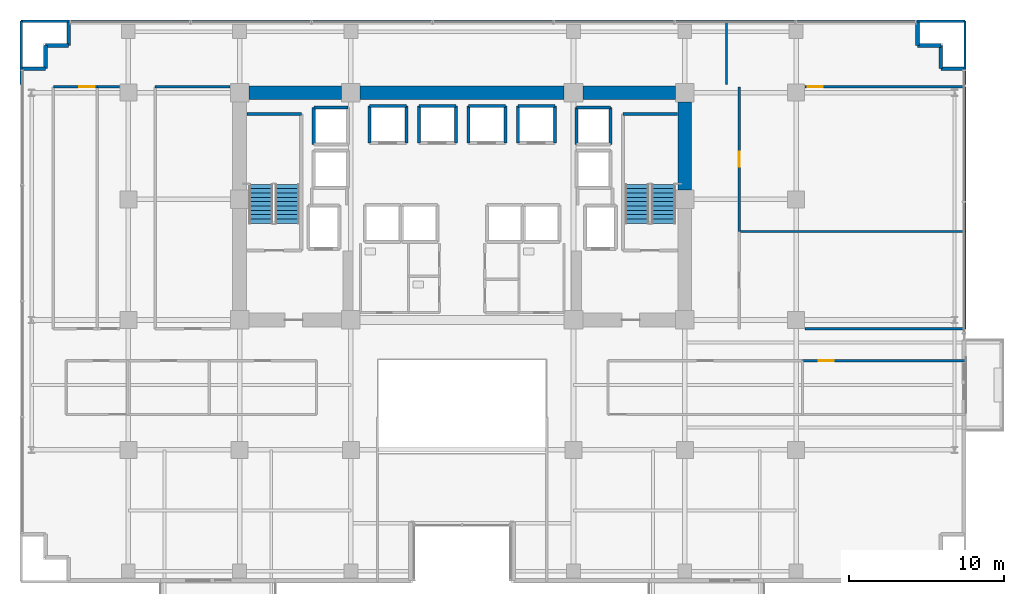
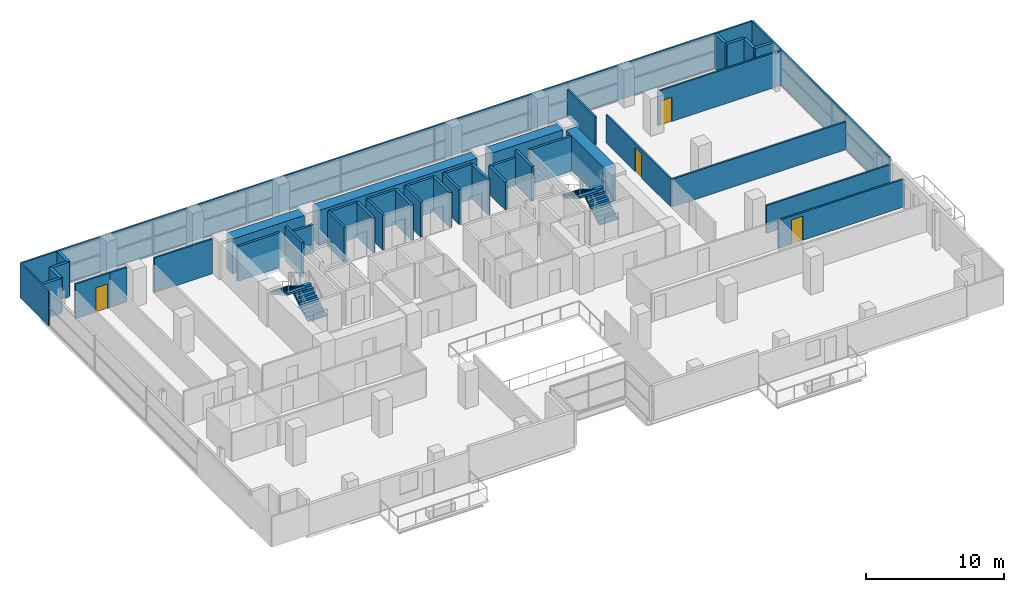
# One storey, part 22 of 26: 46 walls, 4 doors, 4 stair flights, 4 openings, 2 elements without a shape of their own.
"""IFC4 building model written with IfcOpenShell, lengths in metres."""

from ifc_helpers import new_model, si_unit, direction, frame, frame_2d, origin, place, context, subcontext, project, spatial, polyline, rectangle, outline, extrude, source, transform, mapped, material, layer, layer_set, type_object, element, fill, aggregate, save


model = new_model("IFC4")

# Units and contexts
model_context = context("Model", 3, precision=1e-05, world=origin(), true_north=direction((0.0, 1.0)))
body_context = subcontext(model_context, "Body", "Model", "MODEL_VIEW")
ifc_project = project(units=[si_unit("LENGTHUNIT", "METRE"), si_unit("AREAUNIT", "SQUARE_METRE"), si_unit("VOLUMEUNIT", "CUBIC_METRE"), si_unit("PLANEANGLEUNIT", "RADIAN"), si_unit("MASSUNIT", "GRAM", prefix="KILO")], contexts=[model_context])

# Site, building, storey
site_placement = place(None, origin())
site = spatial("IfcSite", under=ifc_project, at=site_placement, CompositionType="ELEMENT")
building_placement = place(site_placement, origin())
building = spatial("IfcBuilding", under=site, at=building_placement, Name="Zarnakvel Exchange Tower", CompositionType="ELEMENT")
storey_placement = place(building_placement, frame((0.0, 0.0, 63.699951171875)))
storey = spatial("IfcBuildingStorey", under=building, at=storey_placement, Name="L17", CompositionType="ELEMENT", Elevation=63.699951171875)

# Walls
ifc_material_1 = material(Name="Concrete C80/95", Category="concrete")
ifc_layer_1 = layer(ifc_material_1, 0.89990234375)
ifc_layer_set_1 = layer_set([ifc_layer_1], Name="Concrete C80/95")
wall_type_1 = type_object("IfcWallType", Name="CW-C1", PredefinedType="SHEAR", material=ifc_layer_set_1)
wall_1_placement = place(storey_placement, frame((-13.800048828125, 13.5, 0.0), z_axis=(0.0, 0.0, 1.0), x_axis=(1.0, 0.0, 0.0)))
element("IfcWall", 1, at=wall_1_placement, inside=storey, type_object=wall_type_1, Name="L17 Rear Core Shear Wall N1 (CW-C1)", PredefinedType="SHEAR", context=body_context, shape_type="SweptSolid", body=[
    extrude(rectangle(XDim=6.0, YDim=0.89990234375, at=frame_2d((3.0, 0.0))), origin(), (0.0, 0.0, 1.0), 3.074951171875),
])
wall_2_placement = place(storey_placement, frame((-6.60009765625, 13.5, 0.0), z_axis=(0.0, 0.0, 1.0), x_axis=(1.0, 0.0, 0.0)))
element("IfcWall", 2, at=wall_2_placement, inside=storey, type_object=wall_type_1, Name="L17 Rear Core Shear Wall N2 (CW-C1)", PredefinedType="SHEAR", context=body_context, shape_type="SweptSolid", body=[
    extrude(rectangle(XDim=13.2001953125, YDim=0.89990234375, at=frame_2d((6.60009765625, 0.0))), origin(), (0.0, 0.0, 1.0), 3.074951171875),
])
wall_3_placement = place(storey_placement, frame((7.800048828125, 13.5, 0.0), z_axis=(0.0, 0.0, 1.0), x_axis=(1.0, 0.0, 0.0)))
element("IfcWall", 3, at=wall_3_placement, inside=storey, type_object=wall_type_1, Name="L17 Rear Core Shear Wall N3 (CW-C1)", PredefinedType="SHEAR", context=body_context, shape_type="SweptSolid", body=[
    extrude(rectangle(XDim=6.0, YDim=0.89990234375, at=frame_2d((3.0, 0.0))), origin(), (0.0, 0.0, 1.0), 3.074951171875),
])
wall_4_placement = place(storey_placement, frame((14.39990234375, 7.199951171875, 0.0), z_axis=(0.0, 0.0, 1.0), x_axis=(0.0, 1.0, 0.0)))
element("IfcWall", 4, at=wall_4_placement, inside=storey, type_object=wall_type_1, Name="L17 Rear Core Shear Wall E2 (CW-C1)", PredefinedType="SHEAR", context=body_context, shape_type="SweptSolid", body=[
    extrude(rectangle(XDim=5.699951171875, YDim=0.89990234375, at=frame_2d((2.85009765625, 0.0))), origin(), (0.0, 0.0, 1.0), 3.074951171875),
])
ifc_material_2 = material(Name="Precast concrete C40/50", Category="concrete")
ifc_layer_2 = layer(ifc_material_2, 0.239990234375)
ifc_layer_set_2 = layer_set([ifc_layer_2], Name="Precast concrete C40/50")
wall_type_2 = type_object("IfcWallType", Name="EW-02", PredefinedType="SOLIDWALL", material=ifc_layer_set_2)
for number, where, z_axis, x_axis, name in (
    (5, (-26.9599609375, 15.06005859375, 0.0), (0.0, 0.0, 1.0), (-1.0, 0.0, 0.0), "L17 Exterior Precast Spandrel Wall EWC-L17-01 (EW-02)"),
    (6, (-26.9599609375, 16.56005859375, 0.0), (0.0, 0.0, 1.0), (0.0, -1.0, 0.0), "L17 Exterior Precast Spandrel Wall EWC-L17-02 (EW-02)"),
    (7, (-25.4599609375, 16.56005859375, 0.0), (0.0, 0.0, 1.0), (-1.0, 0.0, 0.0), "L17 Exterior Precast Spandrel Wall EWC-L17-03 (EW-02)"),
    (8, (-25.4599609375, 18.06005859375, 0.0), (0.0, 0.0, 1.0), (0.0, -1.0, 0.0), "L17 Exterior Precast Spandrel Wall EWC-L17-04 (EW-02)"),
    (9, (29.4599609375, 16.56005859375, 0.0), (0.0, 0.0, 1.0), (0.0, 1.0, 0.0), "L17 Exterior Precast Spandrel Wall EWC-L17-05 (EW-02)"),
    (10, (30.9599609375, 16.56005859375, 0.0), (0.0, 0.0, 1.0), (-1.0, 0.0, 0.0), "L17 Exterior Precast Spandrel Wall EWC-L17-06 (EW-02)"),
    (11, (30.9599609375, 15.06005859375, 0.0), (0.0, 0.0, 1.0), (0.0, 1.0, 0.0), "L17 Exterior Precast Spandrel Wall EWC-L17-07 (EW-02)"),
    (12, (32.4599609375, 15.06005859375, 0.0), (0.0, 0.0, 1.0), (-1.0, 0.0, 0.0), "L17 Exterior Precast Spandrel Wall EWC-L17-08 (EW-02)"),
):
    element("IfcWall", number, at=place(storey_placement, frame(where, z_axis=z_axis, x_axis=x_axis)), inside=storey, type_object=wall_type_2, Name=name, PredefinedType="SOLIDWALL", context=body_context, shape_type="SweptSolid", body=[
        extrude(rectangle(XDim=1.5, YDim=0.239990234375, at=frame_2d((0.75, 0.0))), origin(), (0.0, 0.0, 1.0), 3.074951171875),
    ])

# Wall, opening, door
ifc_material_3 = material(Name="Fire-Rated Gypsum Stud Partition", Category="gypsum")
ifc_layer_3 = layer(ifc_material_3, 0.14990234375)
ifc_layer_set_3 = layer_set([ifc_layer_3], Name="Fire-Rated Gypsum Stud Partition")
wall_type_3 = type_object("IfcWallType", Name="PT-01", PredefinedType="PARTITIONING", material=ifc_layer_set_3)
wall_5_placement = place(storey_placement, frame((22.015380859375, -3.830078125, 0.0), z_axis=(0.0, 0.0, 1.0), x_axis=(1.0, 0.0, 0.0)))
wall_5 = element("IfcWall", 13, at=wall_5_placement, inside=storey, type_object=wall_type_3, Name="L17 Partition Wall PWALL-L17-044 (PT-01)", PredefinedType="PARTITIONING", context=body_context, shape_type="SweptSolid", body=[
    extrude(rectangle(XDim=10.5146484375, YDim=0.14990234375, at=frame_2d((5.25732421875, 0.0))), origin(), (0.0, 0.0, 1.0), 2.465087890625),
])
opening_1_placement = place(wall_5_placement, frame((1.04248046875, 0.0, 0.0)))
opening_1 = element("IfcOpeningElement", 14, at=opening_1_placement, cuts=wall_5, Name="Opening D-L17-16", PredefinedType="OPENING", context=body_context, shape_type="SweptSolid", body=[
    extrude(rectangle(XDim=0.97998046875, YDim=2.14990234375, at=frame_2d((0.489990234375, 1.074951171875))), frame((0.0, 0.0849609375, 0.0), z_axis=(0.0, -1.0, 0.0), x_axis=(1.0, 0.0, 0.0)), (0.0, 0.0, 1.0), 0.169921875),
])
ifc_material_4 = material(Name="Timber Acoustic Veneer", Category="wood")
door_type = type_object("IfcDoorType", Name="DT-05", OperationType="NOTDEFINED", PredefinedType="DOOR", material=ifc_material_4)
shared_shape = source(origin(), body_context, "Body", "SweptSolid", [
    extrude(rectangle(XDim=0.97998046875, YDim=2.14990234375, at=frame_2d((0.489990234375, 1.074951171875))), frame((0.0, 0.02490234375, 0.0), z_axis=(0.0, -1.0, 0.0), x_axis=(1.0, 0.0, 0.0)), (0.0, 0.0, 1.0), 0.050048828125),
])
door_1_placement = place(opening_1_placement, origin())
door_1 = element("IfcDoor", 15, at=door_1_placement, inside=storey, type_object=door_type, Name="L17 Executive Office Door D-L17-16", OperationType="SINGLE_SWING_RIGHT", OverallHeight=2.14990234375, OverallWidth=0.97998046875, PredefinedType="DOOR", context=body_context, shape_type="MappedRepresentation", body=[
    mapped(shared_shape, transform((0.0, 0.0, 0.0), x_axis=(1.0, 0.0, 0.0), y_axis=(0.0, 1.0, 0.0), z_axis=(0.0, 0.0, 1.0), scale=1.0)),
])
fill(opening_1, door_1)

wall_6_placement = place(storey_placement, frame((-26.451171875, 13.8798828125, 0.0), z_axis=(0.0, 0.0, 1.0), x_axis=(1.0, 0.0, 0.0)))
wall_6 = element("IfcWall", 16, at=wall_6_placement, inside=storey, type_object=wall_type_3, Name="L17 Partition Wall PWALL-L17-050 (PT-01)", PredefinedType="PARTITIONING", context=body_context, shape_type="SweptSolid", body=[
    extrude(rectangle(XDim=2.84619140625, YDim=0.14990234375, at=frame_2d((1.423095703125, 0.0))), origin(), (0.0, 0.0, 1.0), 3.074951171875),
])
opening_2_placement = place(wall_6_placement, frame((1.686279296875, 0.0, 0.0)))
opening_2 = element("IfcOpeningElement", 17, at=opening_2_placement, cuts=wall_6, Name="Opening D-L17-23", PredefinedType="OPENING", context=body_context, shape_type="SweptSolid", body=[
    extrude(rectangle(XDim=0.97998046875, YDim=2.14990234375, at=frame_2d((0.489990234375, 1.074951171875))), frame((0.0, 0.0849609375, 0.0), z_axis=(0.0, -1.0, 0.0), x_axis=(1.0, 0.0, 0.0)), (0.0, 0.0, 1.0), 0.169921875),
])
door_2_placement = place(opening_2_placement, origin())
door_2 = element("IfcDoor", 18, at=door_2_placement, inside=storey, type_object=door_type, Name="L17 Risk Analytics Suite Door D-L17-23", OperationType="SINGLE_SWING_LEFT", OverallHeight=2.14990234375, OverallWidth=0.97998046875, PredefinedType="DOOR", context=body_context, shape_type="MappedRepresentation", body=[
    mapped(shared_shape, transform((0.0, 0.0, 0.0), x_axis=(1.0, 0.0, 0.0), y_axis=(0.0, 1.0, 0.0), z_axis=(0.0, 0.0, 1.0), scale=1.0)),
])
fill(opening_2, door_2)

# Walls
wall_7_placement = place(storey_placement, frame((-23.60498046875, 13.8798828125, 0.0), z_axis=(0.0, 0.0, 1.0), x_axis=(1.0, 0.0, 0.0)))
element("IfcWall", 19, at=wall_7_placement, inside=storey, type_object=wall_type_3, Name="L17 Partition Wall PWALL-L17-054 (PT-01)", PredefinedType="PARTITIONING", context=body_context, shape_type="SweptSolid", body=[
    extrude(rectangle(XDim=1.43505859375, YDim=0.14990234375, at=frame_2d((0.717529296875, 0.0))), origin(), (0.0, 0.0, 1.0), 3.074951171875),
])
wall_8_placement = place(storey_placement, frame((-19.863037109375, 13.8798828125, 0.0), z_axis=(0.0, 0.0, 1.0), x_axis=(1.0, 0.0, 0.0)))
element("IfcWall", 20, at=wall_8_placement, inside=storey, type_object=wall_type_3, Name="L17 Partition Wall PWALL-L17-057 (PT-01)", PredefinedType="PARTITIONING", context=body_context, shape_type="SweptSolid", body=[
    extrude(rectangle(XDim=4.843017578125, YDim=0.14990234375, at=frame_2d((2.42138671875, 0.0))), origin(), (0.0, 0.0, 1.0), 3.074951171875),
])
wall_9_placement = place(storey_placement, frame((32.530029296875, -1.77001953125, 0.0), z_axis=(0.0, 0.0, 1.0), x_axis=(-1.0, 0.0, 0.0)))
element("IfcWall", 21, at=wall_9_placement, inside=storey, type_object=wall_type_3, Name="L17 Partition Wall PWALL-L17-058 (PT-01)", PredefinedType="PARTITIONING", context=body_context, shape_type="SweptSolid", body=[
    extrude(rectangle(XDim=10.360107421875, YDim=0.14990234375, at=frame_2d((5.18017578125, 0.0))), origin(), (0.0, 0.0, 1.0), 2.465087890625),
])
wall_10_placement = place(storey_placement, frame((17.929931640625, 4.52197265625, 0.0), z_axis=(0.0, 0.0, 1.0), x_axis=(1.0, 0.0, 0.0)))
element("IfcWall", 22, at=wall_10_placement, inside=storey, type_object=wall_type_3, Name="L17 Partition Wall PWALL-L17-059 (PT-01)", PredefinedType="PARTITIONING", context=body_context, shape_type="SweptSolid", body=[
    extrude(rectangle(XDim=14.60009765625, YDim=0.14990234375, at=frame_2d((7.300048828125, 0.0))), origin(), (0.0, 0.0, 1.0), 2.465087890625),
])
wall_11_placement = place(storey_placement, frame((32.530029296875, 4.52197265625, 0.0), z_axis=(0.0, 0.0, 1.0), x_axis=(0.0, -1.0, 0.0)))
element("IfcWall", 23, at=wall_11_placement, inside=storey, type_object=wall_type_3, Name="L17 Partition Wall PWALL-L17-061 (PT-01)", PredefinedType="PARTITIONING", context=body_context, shape_type="SweptSolid", body=[
    extrude(rectangle(XDim=6.2919921875, YDim=0.14990234375, at=frame_2d((3.14599609375, 0.0))), origin(), (0.0, 0.0, 1.0), 3.074951171875),
])

# Wall, opening, door
wall_12_placement = place(storey_placement, frame((22.169921875, 13.8798828125, 0.0), z_axis=(0.0, 0.0, 1.0), x_axis=(1.0, 0.0, 0.0)))
wall_12 = element("IfcWall", 24, at=wall_12_placement, inside=storey, type_object=wall_type_3, Name="L17 Partition Wall PWALL-L17-062 (PT-01)", PredefinedType="PARTITIONING", context=body_context, shape_type="SweptSolid", body=[
    extrude(rectangle(XDim=10.360107421875, YDim=0.14990234375, at=frame_2d((5.18017578125, 0.0))), origin(), (0.0, 0.0, 1.0), 3.074951171875),
])
opening_3_placement = place(wall_12_placement, frame((0.179931640625, 0.0, 0.0)))
opening_3 = element("IfcOpeningElement", 25, at=opening_3_placement, cuts=wall_12, Name="Opening D-L17-24", PredefinedType="OPENING", context=body_context, shape_type="SweptSolid", body=[
    extrude(rectangle(XDim=0.97998046875, YDim=2.14990234375, at=frame_2d((0.489990234375, 1.074951171875))), frame((0.0, 0.0849609375, 0.0), z_axis=(0.0, -1.0, 0.0), x_axis=(1.0, 0.0, 0.0)), (0.0, 0.0, 1.0), 0.169921875),
])
door_3_placement = place(opening_3_placement, origin())
door_3 = element("IfcDoor", 26, at=door_3_placement, inside=storey, type_object=door_type, Name="L17 Members Lounge Door D-L17-24", OperationType="SINGLE_SWING_RIGHT", OverallHeight=2.14990234375, OverallWidth=0.97998046875, PredefinedType="DOOR", context=body_context, shape_type="MappedRepresentation", body=[
    mapped(shared_shape, transform((0.0, 0.0, 0.0), x_axis=(1.0, 0.0, 0.0), y_axis=(0.0, 1.0, 0.0), z_axis=(0.0, 0.0, 1.0), scale=1.0)),
])
fill(opening_3, door_3)

wall_13_placement = place(storey_placement, frame((17.929931640625, 4.52197265625, 0.0), z_axis=(0.0, 0.0, 1.0), x_axis=(0.0, 1.0, 0.0)))
wall_13 = element("IfcWall", 27, at=wall_13_placement, inside=storey, type_object=wall_type_3, Name="L17 Partition Wall PWALL-L17-063 (PT-01)", PredefinedType="PARTITIONING", context=body_context, shape_type="SweptSolid", body=[
    extrude(rectangle(XDim=9.35791015625, YDim=0.14990234375, at=frame_2d((4.678955078125, 0.0))), origin(), (0.0, 0.0, 1.0), 2.465087890625),
])
opening_4_placement = place(wall_13_placement, frame((4.18896484375, 0.0, 0.0)))
opening_4 = element("IfcOpeningElement", 28, at=opening_4_placement, cuts=wall_13, Name="Opening D-L17-22", PredefinedType="OPENING", context=body_context, shape_type="SweptSolid", body=[
    extrude(rectangle(XDim=0.97998046875, YDim=2.14990234375, at=frame_2d((0.489990234375, 1.074951171875))), frame((0.0, 0.0849609375, 0.0), z_axis=(0.0, -1.0, 0.0), x_axis=(1.0, 0.0, 0.0)), (0.0, 0.0, 1.0), 0.169921875),
])
door_4_placement = place(opening_4_placement, origin())
door_4 = element("IfcDoor", 29, at=door_4_placement, inside=storey, type_object=door_type, Name="L17 Risk Analytics Suite Door D-L17-22", OperationType="SINGLE_SWING_RIGHT", OverallHeight=2.14990234375, OverallWidth=0.97998046875, PredefinedType="DOOR", context=body_context, shape_type="MappedRepresentation", body=[
    mapped(shared_shape, transform((0.0, 0.0, 0.0), x_axis=(1.0, 0.0, 0.0), y_axis=(0.0, 1.0, 0.0), z_axis=(0.0, 0.0, 1.0), scale=1.0)),
])
fill(opening_4, door_4)

# Walls
wall_14_placement = place(storey_placement, frame((32.530029296875, 13.8798828125, 0.0), z_axis=(0.0, 0.0, 1.0), x_axis=(0.0, -1.0, 0.0)))
element("IfcWall", 30, at=wall_14_placement, inside=storey, type_object=wall_type_3, Name="L17 Partition Wall PWALL-L17-064 (PT-01)", PredefinedType="PARTITIONING", context=body_context, shape_type="SweptSolid", body=[
    extrude(rectangle(XDim=9.35791015625, YDim=0.14990234375, at=frame_2d((4.678955078125, 0.0))), origin(), (0.0, 0.0, 1.0), 3.074951171875),
])
wall_15_placement = place(storey_placement, frame((-28.530029296875, 18.1298828125, 0.0), z_axis=(0.0, 0.0, 1.0), x_axis=(1.0, 0.0, 0.0)))
element("IfcWall", 31, at=wall_15_placement, inside=storey, type_object=wall_type_3, Name="L17 Partition Wall PWALL-L17-065 (PT-01)", PredefinedType="PARTITIONING", context=body_context, shape_type="SweptSolid", body=[
    extrude(rectangle(XDim=45.630126953125, YDim=0.14990234375, at=frame_2d((22.81494140625, 0.0))), origin(), (0.0, 0.0, 1.0), 3.074951171875),
])
wall_16_placement = place(storey_placement, frame((-28.530029296875, 14.030029296875, 0.0), z_axis=(0.0, 0.0, 1.0), x_axis=(0.0, 1.0, 0.0)))
element("IfcWall", 32, at=wall_16_placement, inside=storey, type_object=wall_type_3, Name="L17 Partition Wall PWALL-L17-066 (PT-01)", PredefinedType="PARTITIONING", context=body_context, shape_type="SweptSolid", body=[
    extrude(rectangle(XDim=4.099853515625, YDim=0.14990234375, at=frame_2d((2.0498046875, 0.0))), origin(), (0.0, 0.0, 1.0), 3.074951171875),
])
wall_17_placement = place(storey_placement, frame((17.10009765625, 18.1298828125, 0.0), z_axis=(0.0, 0.0, 1.0), x_axis=(0.0, -1.0, 0.0)))
element("IfcWall", 33, at=wall_17_placement, inside=storey, type_object=wall_type_3, Name="L17 Partition Wall PWALL-L17-067 (PT-01)", PredefinedType="PARTITIONING", context=body_context, shape_type="SweptSolid", body=[
    extrude(rectangle(XDim=4.099853515625, YDim=0.14990234375, at=frame_2d((2.0498046875, 0.0))), origin(), (0.0, 0.0, 1.0), 2.465087890625),
])
wall_18_placement = place(storey_placement, frame((17.10009765625, 18.1298828125, 0.0), z_axis=(0.0, 0.0, 1.0), x_axis=(1.0, 0.0, 0.0)))
element("IfcWall", 34, at=wall_18_placement, inside=storey, type_object=wall_type_3, Name="L17 Partition Wall PWALL-L17-068 (PT-01)", PredefinedType="PARTITIONING", context=body_context, shape_type="SweptSolid", body=[
    extrude(rectangle(XDim=15.429931640625, YDim=0.14990234375, at=frame_2d((7.71484375, 0.0))), origin(), (0.0, 0.0, 1.0), 3.074951171875),
])
wall_19_placement = place(storey_placement, frame((32.530029296875, 18.1298828125, 0.0), z_axis=(0.0, 0.0, 1.0), x_axis=(0.0, -1.0, 0.0)))
element("IfcWall", 35, at=wall_19_placement, inside=storey, type_object=wall_type_3, Name="L17 Partition Wall PWALL-L17-069 (PT-01)", PredefinedType="PARTITIONING", context=body_context, shape_type="SweptSolid", body=[
    extrude(rectangle(XDim=4.099853515625, YDim=0.14990234375, at=frame_2d((2.0498046875, 0.0))), origin(), (0.0, 0.0, 1.0), 3.074951171875),
])
ifc_material_5 = material(Name="Concrete C40/50", Category="concrete")
ifc_layer_4 = layer(ifc_material_5, 0.199951171875)
ifc_layer_set_4 = layer_set([ifc_layer_4], Name="Concrete C40/50")
wall_type_4 = type_object("IfcWallType", Name="SW-01", PredefinedType="SOLIDWALL", material=ifc_layer_set_4)
for number, where, z_axis, x_axis, name in (
    (36, (-6.0, 12.64990234375, 0.0), (0.0, 0.0, 1.0), (1.0, 0.0, 0.0), "L17 PL-01 Hoistway Wall North"),
    (37, (-6.0, 10.25, 0.0), (0.0, 0.0, 1.0), (0.0, 1.0, 0.0), "L17 PL-01 Hoistway Wall West"),
    (38, (-3.60009765625, 12.64990234375, 0.0), (0.0, 0.0, 1.0), (0.0, -1.0, 0.0), "L17 PL-01 Hoistway Wall East"),
):
    element("IfcWall", number, at=place(storey_placement, frame(where, z_axis=z_axis, x_axis=x_axis)), inside=storey, type_object=wall_type_4, Name=name, PredefinedType="SOLIDWALL", context=body_context, shape_type="SweptSolid", body=[
        extrude(rectangle(XDim=2.39990234375, YDim=0.199951171875, at=frame_2d((1.199951171875, 0.0))), origin(), (0.0, 0.0, 1.0), 3.074951171875),
    ])
wall_20_placement = place(storey_placement, frame((-2.800048828125, 12.64990234375, 0.0), z_axis=(0.0, 0.0, 1.0), x_axis=(1.0, 0.0, 0.0)))
element("IfcWall", 39, at=wall_20_placement, inside=storey, type_object=wall_type_4, Name="L17 PL-02 Hoistway Wall North", PredefinedType="SOLIDWALL", context=body_context, shape_type="SweptSolid", body=[
    extrude(rectangle(XDim=2.400146484375, YDim=0.199951171875, at=frame_2d((1.2001953125, 0.0))), origin(), (0.0, 0.0, 1.0), 3.074951171875),
])
for number, where, z_axis, x_axis, name in (
    (40, (-2.800048828125, 10.25, 0.0), (0.0, 0.0, 1.0), (0.0, 1.0, 0.0), "L17 PL-02 Hoistway Wall West"),
    (41, (-0.39990234375, 12.64990234375, 0.0), (0.0, 0.0, 1.0), (0.0, -1.0, 0.0), "L17 PL-02 Hoistway Wall East"),
):
    element("IfcWall", number, at=place(storey_placement, frame(where, z_axis=z_axis, x_axis=x_axis)), inside=storey, type_object=wall_type_4, Name=name, PredefinedType="SOLIDWALL", context=body_context, shape_type="SweptSolid", body=[
        extrude(rectangle(XDim=2.39990234375, YDim=0.199951171875, at=frame_2d((1.199951171875, 0.0))), origin(), (0.0, 0.0, 1.0), 3.074951171875),
    ])
wall_21_placement = place(storey_placement, frame((0.39990234375, 12.64990234375, 0.0), z_axis=(0.0, 0.0, 1.0), x_axis=(1.0, 0.0, 0.0)))
element("IfcWall", 42, at=wall_21_placement, inside=storey, type_object=wall_type_4, Name="L17 PL-03 Hoistway Wall North", PredefinedType="SOLIDWALL", context=body_context, shape_type="SweptSolid", body=[
    extrude(rectangle(XDim=2.400146484375, YDim=0.199951171875, at=frame_2d((1.2001953125, 0.0))), origin(), (0.0, 0.0, 1.0), 3.074951171875),
])
for number, where, z_axis, x_axis, name in (
    (43, (0.39990234375, 10.25, 0.0), (0.0, 0.0, 1.0), (0.0, 1.0, 0.0), "L17 PL-03 Hoistway Wall West"),
    (44, (2.800048828125, 12.64990234375, 0.0), (0.0, 0.0, 1.0), (0.0, -1.0, 0.0), "L17 PL-03 Hoistway Wall East"),
    (45, (3.60009765625, 12.64990234375, 0.0), (0.0, 0.0, 1.0), (1.0, 0.0, 0.0), "L17 PL-04 Hoistway Wall North"),
    (46, (3.60009765625, 10.25, 0.0), (0.0, 0.0, 1.0), (0.0, 1.0, 0.0), "L17 PL-04 Hoistway Wall West"),
    (47, (6.0, 12.64990234375, 0.0), (0.0, 0.0, 1.0), (0.0, -1.0, 0.0), "L17 PL-04 Hoistway Wall East"),
):
    element("IfcWall", number, at=place(storey_placement, frame(where, z_axis=z_axis, x_axis=x_axis)), inside=storey, type_object=wall_type_4, Name=name, PredefinedType="SOLIDWALL", context=body_context, shape_type="SweptSolid", body=[
        extrude(rectangle(XDim=2.39990234375, YDim=0.199951171875, at=frame_2d((1.199951171875, 0.0))), origin(), (0.0, 0.0, 1.0), 3.074951171875),
    ])
wall_22_placement = place(storey_placement, frame((-9.60009765625, 12.550048828125, 0.0), z_axis=(0.0, 0.0, 1.0), x_axis=(1.0, 0.0, 0.0)))
element("IfcWall", 48, at=wall_22_placement, inside=storey, type_object=wall_type_4, Name="L17 PL-10 Hoistway Wall North", PredefinedType="SOLIDWALL", context=body_context, shape_type="SweptSolid", body=[
    extrude(rectangle(XDim=2.2001953125, YDim=0.199951171875, at=frame_2d((1.10009765625, 0.0))), origin(), (0.0, 0.0, 1.0), 2.465087890625),
])
wall_23_placement = place(storey_placement, frame((-9.60009765625, 10.14990234375, 0.0), z_axis=(0.0, 0.0, 1.0), x_axis=(0.0, 1.0, 0.0)))
element("IfcWall", 49, at=wall_23_placement, inside=storey, type_object=wall_type_4, Name="L17 PL-10 Hoistway Wall West", PredefinedType="SOLIDWALL", context=body_context, shape_type="SweptSolid", body=[
    extrude(rectangle(XDim=2.400146484375, YDim=0.199951171875, at=frame_2d((1.2001953125, 0.0))), origin(), (0.0, 0.0, 1.0), 3.074951171875),
])
wall_24_placement = place(storey_placement, frame((7.39990234375, 12.550048828125, 0.0), z_axis=(0.0, 0.0, 1.0), x_axis=(1.0, 0.0, 0.0)))
element("IfcWall", 50, at=wall_24_placement, inside=storey, type_object=wall_type_4, Name="L17 PL-12 Hoistway Wall North", PredefinedType="SOLIDWALL", context=body_context, shape_type="SweptSolid", body=[
    extrude(rectangle(XDim=2.2001953125, YDim=0.199951171875, at=frame_2d((1.10009765625, 0.0))), origin(), (0.0, 0.0, 1.0), 2.465087890625),
])
wall_25_placement = place(storey_placement, frame((7.39990234375, 10.14990234375, 0.0), z_axis=(0.0, 0.0, 1.0), x_axis=(0.0, 1.0, 0.0)))
element("IfcWall", 51, at=wall_25_placement, inside=storey, type_object=wall_type_4, Name="L17 PL-12 Hoistway Wall West", PredefinedType="SOLIDWALL", context=body_context, shape_type="SweptSolid", body=[
    extrude(rectangle(XDim=2.400146484375, YDim=0.199951171875, at=frame_2d((1.2001953125, 0.0))), origin(), (0.0, 0.0, 1.0), 2.465087890625),
])
wall_26_placement = place(storey_placement, frame((9.60009765625, 12.550048828125, 0.0), z_axis=(0.0, 0.0, 1.0), x_axis=(0.0, -1.0, 0.0)))
element("IfcWall", 52, at=wall_26_placement, inside=storey, type_object=wall_type_4, Name="L17 PL-12 Hoistway Wall East", PredefinedType="SOLIDWALL", context=body_context, shape_type="SweptSolid", body=[
    extrude(rectangle(XDim=2.400146484375, YDim=0.199951171875, at=frame_2d((1.2001953125, 0.0))), origin(), (0.0, 0.0, 1.0), 3.074951171875),
])
ifc_layer_5 = layer(ifc_material_5, 0.199951171875)
ifc_layer_set_5 = layer_set([ifc_layer_5], Name="Concrete C40/50")
wall_type_5 = type_object("IfcWallType", Name="SW-02", PredefinedType="SOLIDWALL", material=ifc_layer_set_5)
for number, where, z_axis, x_axis, name in (
    (53, (-13.929931640625, 12.1298828125, 0.0), (0.0, 0.0, 1.0), (1.0, 0.0, 0.0), "L17 Stairwell Core Wall PWALL-L17-002 (SW-02)"),
    (54, (10.409912109375, 12.1298828125, 0.0), (0.0, 0.0, 1.0), (1.0, 0.0, 0.0), "L17 Stairwell Core Wall PWALL-L17-005 (SW-02)"),
):
    element("IfcWall", number, at=place(storey_placement, frame(where, z_axis=z_axis, x_axis=x_axis)), inside=storey, type_object=wall_type_5, Name=name, PredefinedType="SOLIDWALL", context=body_context, shape_type="SweptSolid", body=[
        extrude(rectangle(XDim=3.52001953125, YDim=0.199951171875, at=frame_2d((1.760009765625, 0.0))), origin(), (0.0, 0.0, 1.0), 3.074951171875),
    ])

# Stair, stair flights
stair_type = type_object("IfcStairType", Name="STR-01", PredefinedType="HALF_TURN_STAIR", material=ifc_material_5)
stair_1_placement = place(storey_placement, origin())
stair_1 = element("IfcStair", 55, at=stair_1_placement, inside=storey, type_object=stair_type, Name="L17 Protected Core Exit Stair ST-01", PredefinedType="HALF_TURN_STAIR")
stair_flight_type = type_object("IfcStairFlightType", Name="FLT-01", PredefinedType="STRAIGHT", material=ifc_material_5)
stair_flight_1_placement = place(storey_placement, frame((-11.31494140625, 5.050048828125, 0.0), z_axis=(0.0, 0.0, 1.0), x_axis=(0.0, 1.0, 0.0)))
stair_flight_1 = element("IfcStairFlight", 56, at=stair_flight_1_placement, type_object=stair_flight_type, Name="ST-01 flight 1", NumberOfRisers=10, NumberOfTreads=9, PredefinedType="STRAIGHT", RiserHeight=0.165, TreadLength=0.28, context=body_context, shape_type="SweptSolid", body=[
    extrude(outline(polyline([(0.0, 0.0), (0.0, 0.1650390625), (0.280029296875, 0.1650390625), (0.280029296875, 0.330078125), (0.56005859375, 0.330078125), (0.56005859375, 0.4951171875), (0.840087890625, 0.4951171875), (0.840087890625, 0.659912109375), (1.1201171875, 0.659912109375), (1.1201171875, 0.824951171875), (1.39990234375, 0.824951171875), (1.39990234375, 0.989990234375), (1.679931640625, 0.989990234375), (1.679931640625, 1.155029296875), (1.9599609375, 1.155029296875), (1.9599609375, 1.320068359375), (2.239990234375, 1.320068359375), (2.239990234375, 1.485107421875), (2.52001953125, 1.485107421875), (2.52001953125, 1.64990234375), (2.52001953125, 1.31103515625), (0.295166015625, 0.0), (0.0, 0.0)])), frame((0.0, 0.77490234375, 0.0), z_axis=(0.0, -1.0, 0.0), x_axis=(1.0, 0.0, 0.0)), (0.0, 0.0, 1.0), 1.550048828125),
])
stair_flight_2_placement = place(storey_placement, frame((-13.02490234375, 7.570068359375, 1.650146484375), z_axis=(0.0, 0.0, 1.0), x_axis=(0.0, -1.0, 0.0)))
stair_flight_2 = element("IfcStairFlight", 57, at=stair_flight_2_placement, type_object=stair_flight_type, Name="ST-01 flight 2", NumberOfRisers=10, NumberOfTreads=9, PredefinedType="STRAIGHT", RiserHeight=0.165, TreadLength=0.28, context=body_context, shape_type="SweptSolid", body=[
    extrude(outline(polyline([(0.0, 0.0), (0.0, 0.1650390625), (0.280029296875, 0.1650390625), (0.280029296875, 0.330078125), (0.56005859375, 0.330078125), (0.56005859375, 0.4951171875), (0.840087890625, 0.4951171875), (0.840087890625, 0.659912109375), (1.1201171875, 0.659912109375), (1.1201171875, 0.824951171875), (1.39990234375, 0.824951171875), (1.39990234375, 0.989990234375), (1.679931640625, 0.989990234375), (1.679931640625, 1.155029296875), (1.9599609375, 1.155029296875), (1.9599609375, 1.320068359375), (2.239990234375, 1.320068359375), (2.239990234375, 1.485107421875), (2.52001953125, 1.485107421875), (2.52001953125, 1.64990234375), (2.52001953125, 1.31103515625), (0.295166015625, 0.0), (0.0, 0.0)])), frame((0.0, 0.77490234375, 0.0), z_axis=(0.0, -1.0, 0.0), x_axis=(1.0, 0.0, 0.0)), (0.0, 0.0, 1.0), 1.550048828125),
])
aggregate(stair_1, [stair_flight_1, stair_flight_2])

stair_2_placement = place(storey_placement, origin())
stair_2 = element("IfcStair", 58, at=stair_2_placement, inside=storey, type_object=stair_type, Name="L17 Protected Core Exit Stair ST-02", PredefinedType="HALF_TURN_STAIR")
stair_flight_3_placement = place(storey_placement, frame((13.02490234375, 5.050048828125, 0.0), z_axis=(0.0, 0.0, 1.0), x_axis=(0.0, 1.0, 0.0)))
stair_flight_3 = element("IfcStairFlight", 59, at=stair_flight_3_placement, type_object=stair_flight_type, Name="ST-02 flight 1", NumberOfRisers=10, NumberOfTreads=9, PredefinedType="STRAIGHT", RiserHeight=0.165, TreadLength=0.28, context=body_context, shape_type="SweptSolid", body=[
    extrude(outline(polyline([(0.0, 0.0), (0.0, 0.1650390625), (0.280029296875, 0.1650390625), (0.280029296875, 0.330078125), (0.56005859375, 0.330078125), (0.56005859375, 0.4951171875), (0.840087890625, 0.4951171875), (0.840087890625, 0.659912109375), (1.1201171875, 0.659912109375), (1.1201171875, 0.824951171875), (1.39990234375, 0.824951171875), (1.39990234375, 0.989990234375), (1.679931640625, 0.989990234375), (1.679931640625, 1.155029296875), (1.9599609375, 1.155029296875), (1.9599609375, 1.320068359375), (2.239990234375, 1.320068359375), (2.239990234375, 1.485107421875), (2.52001953125, 1.485107421875), (2.52001953125, 1.64990234375), (2.52001953125, 1.31103515625), (0.295166015625, 0.0), (0.0, 0.0)])), frame((0.0, 0.77490234375, 0.0), z_axis=(0.0, -1.0, 0.0), x_axis=(1.0, 0.0, 0.0)), (0.0, 0.0, 1.0), 1.550048828125),
])
stair_flight_4_placement = place(storey_placement, frame((11.31494140625, 7.570068359375, 1.650146484375), z_axis=(0.0, 0.0, 1.0), x_axis=(0.0, -1.0, 0.0)))
stair_flight_4 = element("IfcStairFlight", 60, at=stair_flight_4_placement, type_object=stair_flight_type, Name="ST-02 flight 2", NumberOfRisers=10, NumberOfTreads=9, PredefinedType="STRAIGHT", RiserHeight=0.165, TreadLength=0.28, context=body_context, shape_type="SweptSolid", body=[
    extrude(outline(polyline([(0.0, 0.0), (0.0, 0.1650390625), (0.280029296875, 0.1650390625), (0.280029296875, 0.330078125), (0.56005859375, 0.330078125), (0.56005859375, 0.4951171875), (0.840087890625, 0.4951171875), (0.840087890625, 0.659912109375), (1.1201171875, 0.659912109375), (1.1201171875, 0.824951171875), (1.39990234375, 0.824951171875), (1.39990234375, 0.989990234375), (1.679931640625, 0.989990234375), (1.679931640625, 1.155029296875), (1.9599609375, 1.155029296875), (1.9599609375, 1.320068359375), (2.239990234375, 1.320068359375), (2.239990234375, 1.485107421875), (2.52001953125, 1.485107421875), (2.52001953125, 1.64990234375), (2.52001953125, 1.31103515625), (0.295166015625, 0.0), (0.0, 0.0)])), frame((0.0, 0.77490234375, 0.0), z_axis=(0.0, -1.0, 0.0), x_axis=(1.0, 0.0, 0.0)), (0.0, 0.0, 1.0), 1.550048828125),
])
aggregate(stair_2, [stair_flight_3, stair_flight_4])

save(model, "model.ifc")
